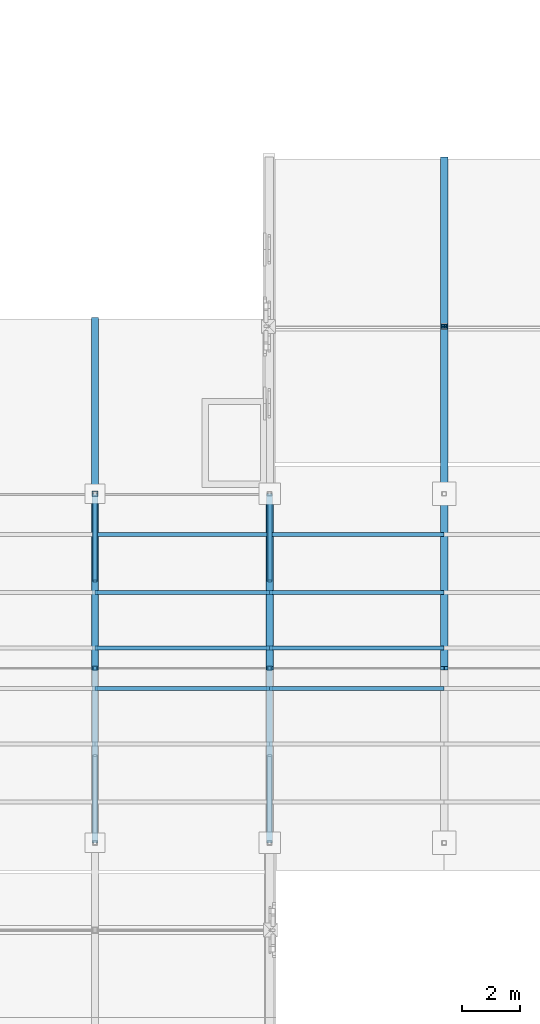
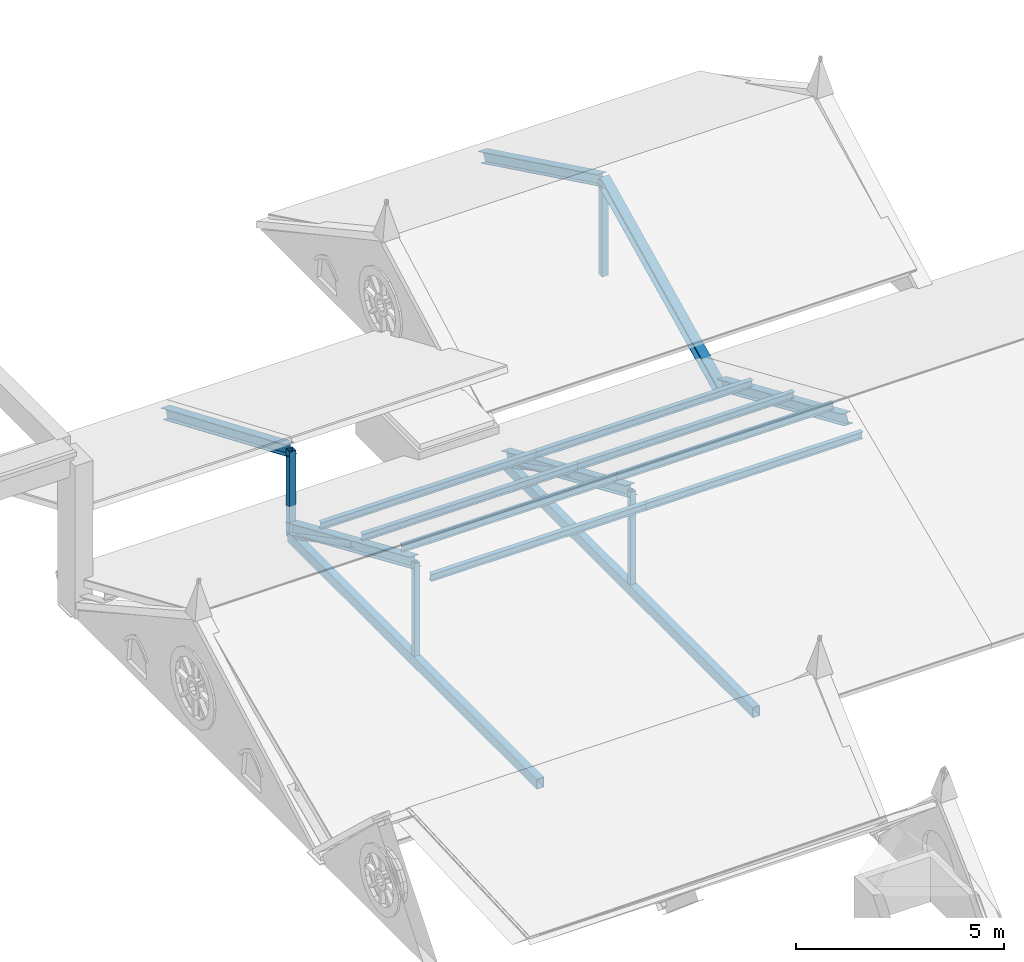
# One storey, part 27 of 59: 22 members.
"""IFC4 building model written with IfcOpenShell, lengths in metres."""

import ifcopenshell
import ifcopenshell.guid

model = None  # the IFC model being written
_history = None  # IfcOwnerHistory: only IFC2X3 demands one
_inside = {}  # id of a spatial element -> (the spatial element, [elements in it])
_under = {}  # id of a project, library or spatial element -> (it, [spatial elements below it])
_declared = {}  # id of a project -> (the project, [libraries it declares])
_typed = {}  # id of a type object -> (the type object, [elements of that type])
_made_of = {}  # id of a material, layer set ... -> (it, [elements and type objects made of it])


def new_model(schema):
    """Start an empty IFC model of exactly this schema.

    Asked for "IFC4X3", IfcOpenShell would pick the latest addendum, in which some entities
    have other attributes; the version numbers below select the first issue.
    IFC2X3 requires an IfcOwnerHistory on every rooted entity: one is made here for all.
    """
    global model, _history
    if schema == "IFC4X3":
        model = ifcopenshell.file(schema_version=(4, 3, 0, 0))
    else:
        model = ifcopenshell.file(schema=schema)
    _inside.clear()
    _under.clear()
    _declared.clear()
    _typed.clear()
    _made_of.clear()
    _history = None
    if model.schema == "IFC2X3":
        org = make("IfcOrganization", Name="unknown")
        user = make(
            "IfcPersonAndOrganization",
            ThePerson=make("IfcPerson", FamilyName="unknown"),
            TheOrganization=org,
        )
        app = make(
            "IfcApplication",
            ApplicationDeveloper=org,
            Version="unknown",
            ApplicationFullName="unknown",
            ApplicationIdentifier="unknown",
        )
        _history = make(
            "IfcOwnerHistory",
            OwningUser=user,
            OwningApplication=app,
            ChangeAction="ADDED",
            CreationDate=0,
        )
    return model


def make(cls, **values):
    """One entity of the class cls with the attributes given. An attribute that is None is left unset."""
    return model.create_entity(
        cls, **{name: value for name, value in values.items() if value is not None}
    )


def rooted(cls, **values):
    """An entity with a GlobalId (a new one), such as an element, a storey or a relation."""
    return make(cls, GlobalId=ifcopenshell.guid.new(), OwnerHistory=_history, **values)


def si_unit(unit_type, name, prefix=None):
    """IfcSIUnit, for example si_unit("LENGTHUNIT", "METRE", prefix="MILLI")."""
    return make("IfcSIUnit", UnitType=unit_type, Prefix=prefix, Name=name)


def assignment(units):
    """IfcUnitAssignment: the units of a project."""
    return None if units is None else make("IfcUnitAssignment", Units=units)


def point(xyz):
    """IfcCartesianPoint."""
    return None if xyz is None else make("IfcCartesianPoint", Coordinates=xyz)


def direction(xyz):
    """IfcDirection."""
    return None if xyz is None else make("IfcDirection", DirectionRatios=xyz)


def frame(location, z_axis=None, x_axis=None):
    """IfcAxis2Placement3D, a coordinate frame: its origin and axes. An axis left out is left unset."""
    return make(
        "IfcAxis2Placement3D",
        Location=point(location),
        Axis=direction(z_axis),
        RefDirection=direction(x_axis),
    )


def frame_2d(location, x_axis=None):
    """IfcAxis2Placement2D, a coordinate frame in the plane: its origin and x axis."""
    return make(
        "IfcAxis2Placement2D", Location=point(location), RefDirection=direction(x_axis)
    )


def origin():
    """The frame at (0, 0, 0) with its axes left unset."""
    return frame((0.0, 0.0, 0.0))


def origin_2d():
    """The frame at (0, 0) in the plane with its x axis left unset."""
    return frame_2d((0.0, 0.0))


def place(relative_to, where):
    """IfcLocalPlacement: puts the frame where relative to a parent placement (None: the world)."""
    return make(
        "IfcLocalPlacement", PlacementRelTo=relative_to, RelativePlacement=where
    )


def context(
    kind, dimensions, precision=None, world=None, true_north=None, identifier=None
):
    """IfcGeometricRepresentationContext, for example the 3D "Model" context."""
    return make(
        "IfcGeometricRepresentationContext",
        ContextIdentifier=identifier,
        ContextType=kind,
        CoordinateSpaceDimension=dimensions,
        Precision=precision,
        WorldCoordinateSystem=world,
        TrueNorth=true_north,
    )


def subcontext(parent, identifier, kind, view, scale=None):
    """IfcGeometricRepresentationSubContext, for example "Body" below "Model"."""
    return make(
        "IfcGeometricRepresentationSubContext",
        ContextIdentifier=identifier,
        ContextType=kind,
        ParentContext=parent,
        TargetScale=scale,
        TargetView=view,
    )


def project(units=None, contexts=None):
    """IfcProject with its units and contexts."""
    return rooted(
        "IfcProject",
        Name="project",
        RepresentationContexts=contexts,
        UnitsInContext=assignment(units),
    )


def spatial(cls, under=None, at=None, **own):
    """A site, building, storey or space (cls), placed at a placement, below another one or the project."""
    s = rooted(cls, ObjectPlacement=at, **own)
    if under is not None:
        _under.setdefault(under.id(), (under, []))[1].append(s)
    return s


def profile(cls, at=None, kind="AREA", **sizes):
    """A parametric profile (cls). Its sizes go by their IFC names, for example OverallWidth=200.0."""
    return make(cls, ProfileType=kind, Position=at, **sizes)


def hollow_rectangle(**sizes):
    """IfcRectangleHollowProfileDef."""
    return profile("IfcRectangleHollowProfileDef", **sizes)


def hollow_circle(**sizes):
    """IfcCircleHollowProfileDef."""
    return profile("IfcCircleHollowProfileDef", **sizes)


def i_section(**sizes):
    """IfcIShapeProfileDef."""
    return profile("IfcIShapeProfileDef", **sizes)


def extrude(swept, where, along, depth):
    """IfcExtrudedAreaSolid: the profile swept, set in the frame where, extruded along a direction by depth."""
    return make(
        "IfcExtrudedAreaSolid",
        SweptArea=swept,
        Position=where,
        ExtrudedDirection=direction(along),
        Depth=depth,
    )


def shape(context_of_items, identifier, shape_type, items):
    """IfcShapeRepresentation: the items that make up one representation, for example the "Body"."""
    return make(
        "IfcShapeRepresentation",
        ContextOfItems=context_of_items,
        RepresentationIdentifier=identifier,
        RepresentationType=shape_type,
        Items=items,
    )


def material(Name=None, Category=None):
    """IfcMaterial."""
    return make("IfcMaterial", Name=Name, Category=Category)


def material_profile(
    of_material, cross_section, Name=None, Category=None, Priority=None
):
    """IfcMaterialProfile: a cross section and its material."""
    return make(
        "IfcMaterialProfile",
        Name=Name,
        Material=of_material,
        Profile=cross_section,
        Priority=Priority,
        Category=Category,
    )


def profile_set(profiles, Name=None, composite=None):
    """IfcMaterialProfileSet."""
    return make(
        "IfcMaterialProfileSet",
        Name=Name,
        MaterialProfiles=profiles,
        CompositeProfile=composite,
    )


def made_of(thing, what):
    """Note that an element or type object is made of a material, layer set ...; save() writes the relation."""
    if what is not None:
        _made_of.setdefault(what.id(), (what, []))[1].append(thing)
    return thing


def type_object(cls, material=None, **own):
    """A type object (cls), such as IfcWallType, which elements share."""
    return made_of(rooted(cls, **own), material)


def element(
    cls,
    number,
    at=None,
    inside=None,
    cuts=None,
    type_object=None,
    material=None,
    context=None,
    identifier="Body",
    shape_type=None,
    held_by="IfcProductDefinitionShape",
    body=None,
    shapes=None,
    **own,
):
    """One element of the class cls, such as IfcWall. Its Tag is "e" and its number.

    at: its placement. inside: the storey or other place that contains it. cuts: it is an
    opening in that element (IfcRelVoidsElement). A single representation is given by context,
    identifier, shape_type and body (its items); several are given by shapes. held_by: the class
    of the entity that holds the representations. save() writes the other relations.
    """
    e = rooted(cls, Tag="e%d" % number, ObjectPlacement=at, **own)
    if body is not None:
        shapes = [shape(context, identifier, shape_type, body)]
    if shapes is not None:
        e.Representation = make(held_by, Representations=shapes)
    if inside is not None:
        _inside.setdefault(inside.id(), (inside, []))[1].append(e)
    if cuts is not None:
        rooted(
            "IfcRelVoidsElement", RelatingBuildingElement=cuts, RelatedOpeningElement=e
        )
    if type_object is not None:
        _typed.setdefault(type_object.id(), (type_object, []))[1].append(e)
    return made_of(e, material)


def aggregate(whole, parts):
    """IfcRelAggregates: a whole, such as a stair, and the parts it consists of."""
    return rooted("IfcRelAggregates", RelatingObject=whole, RelatedObjects=parts)


def save(model, path):
    """Write the relations noted so far, then the file.

    IfcRelAggregates (storeys below a building ...), IfcRelContainedInSpatialStructure (elements
    in a storey), IfcRelDefinesByType, IfcRelAssociatesMaterial and IfcRelDeclares: one each for
    every whole, place, type object, material and project.
    """
    for whole, parts in _under.values():
        aggregate(whole, parts)
    for where, things in _inside.values():
        rooted(
            "IfcRelContainedInSpatialStructure",
            RelatedElements=things,
            RelatingStructure=where,
        )
    for kind, things in _typed.values():
        rooted("IfcRelDefinesByType", RelatedObjects=things, RelatingType=kind)
    for what, things in _made_of.values():
        rooted("IfcRelAssociatesMaterial", RelatedObjects=things, RelatingMaterial=what)
    for by, libraries in _declared.values():
        rooted("IfcRelDeclares", RelatingContext=by, RelatedDefinitions=libraries)
    model.write(path)


model = new_model("IFC4")

# Units and contexts
model_context = context("Model", 3, precision=1e-05, world=origin(), true_north=direction((0.0, 1.0)))
body_context = subcontext(model_context, "Body", "Model", "MODEL_VIEW")
ifc_project = project(units=[si_unit("LENGTHUNIT", "METRE"), si_unit("AREAUNIT", "SQUARE_METRE"), si_unit("VOLUMEUNIT", "CUBIC_METRE"), si_unit("PLANEANGLEUNIT", "RADIAN"), si_unit("MASSUNIT", "GRAM", prefix="KILO")], contexts=[model_context])

# Site, building, storey
site_placement = place(None, origin())
site = spatial("IfcSite", under=ifc_project, at=site_placement, CompositionType="ELEMENT")
building_placement = place(site_placement, origin())
building = spatial("IfcBuilding", under=site, at=building_placement, Name="Cumevento Cable Car Station", CompositionType="ELEMENT")
storey_placement = place(building_placement, frame((0.0, 0.0, 18.0)))
storey = spatial("IfcBuildingStorey", under=building, at=storey_placement, Name="L05", CompositionType="ELEMENT", Elevation=18.0)

# Members
ifc_material_1 = material(Name="Steel ASTM A572 Grade 50", Category="steel")
ifc_material_profile_1 = material_profile(ifc_material_1, hollow_rectangle(XDim=0.179931640625, YDim=0.179931640625, WallThickness=0.010009765625, at=origin_2d()), Name="HSS180x180x10.0")
ifc_profile_set_1 = profile_set([ifc_material_profile_1], Name="Steel ASTM A572 Grade 50")
member_type_1 = type_object("IfcMemberType", Name="Framing Brace BR-01 HSS180x180x10.0", PredefinedType="BRACE", material=ifc_profile_set_1)
member_1_placement = place(storey_placement, frame((124.0, 45.0, 0.0), z_axis=(0.0, 0.0, 1.0), x_axis=(1.0, 0.0, 0.0)))
element("IfcMember", 1, at=member_1_placement, inside=storey, type_object=member_type_1, Name="Wing B_V5c_core High Post #772", PredefinedType="BRACE", context=body_context, shape_type="SweptSolid", body=[
    extrude(hollow_rectangle(XDim=0.179931640625, YDim=0.179931640625, WallThickness=0.010009765625, at=origin_2d()), origin(), (0.0, 0.0, 1.0), 2.550048828125),
])
member_2_placement = place(storey_placement, frame((136.0, 50.75, 0.0), z_axis=(0.0, 0.0, 1.0), x_axis=(1.0, 0.0, 0.0)))
element("IfcMember", 2, at=member_2_placement, inside=storey, type_object=member_type_1, Name="Wing B_V5c King Post #774", PredefinedType="BRACE", context=body_context, shape_type="SweptSolid", body=[
    extrude(hollow_rectangle(XDim=0.179931640625, YDim=0.179931640625, WallThickness=0.010009765625, at=origin_2d()), origin(), (0.0, 0.0, 1.0), 2.800048828125),
])
ifc_material_2 = material(Name="Steel ASTM A572 Grade 50", Category="steel")
ifc_material_profile_2 = material_profile(ifc_material_2, hollow_circle(Radius=0.084228515625, WallThickness=0.010009765625, at=origin_2d()), Name="CHS168.3x10.0")
ifc_profile_set_2 = profile_set([ifc_material_profile_2], Name="Steel ASTM A572 Grade 50")
member_type_2 = type_object("IfcMemberType", Name="Framing Brace TD-02 CHS168.3x10.0", PredefinedType="BRACE", material=ifc_profile_set_2)
for number, where, z_axis, x_axis, name in (
    (3, (124.0, 45.0, 0.02001953125), (0.0, -0.886677465101, 0.462388443715), (1.0, 0.0, 0.0), "Cabin Garage Truss Web Brace #345"),
    (4, (130.0, 45.0, 0.02001953125), (0.0, -0.886677465101, 0.462388443715), (1.0, 0.0, 0.0), "Cabin Garage Truss Web Brace #353"),
):
    element("IfcMember", number, at=place(storey_placement, frame(where, z_axis=z_axis, x_axis=x_axis)), inside=storey, type_object=member_type_2, Name=name, PredefinedType="BRACE", context=body_context, shape_type="SweptSolid", body=[
        extrude(hollow_circle(Radius=0.084228515625, WallThickness=0.010009765625, at=origin_2d()), origin(), (0.0, 0.0, 1.0), 3.38330078125),
    ])
ifc_material_3 = material(Name="Steel ASTM A572 Grade 50", Category="steel")
ifc_material_profile_3 = material_profile(ifc_material_3, i_section(OverallWidth=0.25390625, OverallDepth=0.305908203125, WebThickness=0.0087890625, FlangeThickness=0.0146484375, at=origin_2d()), Name="W310x79.0")
ifc_profile_set_3 = profile_set([ifc_material_profile_3], Name="Steel ASTM A572 Grade 50")
member_type_3 = type_object("IfcMemberType", Name="Framing Chord TC-03 W310x79.0", PredefinedType="CHORD", material=ifc_profile_set_3)
for number, where, z_axis, x_axis, name in (
    (5, (124.0, 39.0, 2.888916015625), (0.0, 0.917059377477, -0.398750671701), (-1.0, 0.0, 0.0), "Cabin Garage Truss Top Chord #347"),
    (6, (130.0, 39.0, 2.888916015625), (0.0, 0.917059377477, -0.398750671701), (-1.0, 0.0, 0.0), "Cabin Garage Truss Top Chord #355"),
    (7, (136.0, 39.0, 2.888916015625), (0.0, 0.917059377477, -0.398750671701), (-1.0, 0.0, 0.0), "Cabin Garage Truss Top Chord #359"),
):
    element("IfcMember", number, at=place(storey_placement, frame(where, z_axis=z_axis, x_axis=x_axis)), inside=storey, type_object=member_type_3, Name=name, PredefinedType="CHORD", context=body_context, shape_type="SweptSolid", body=[
        extrude(i_section(OverallWidth=0.25390625, OverallDepth=0.305908203125, WebThickness=0.0087890625, FlangeThickness=0.0146484375, at=origin_2d()), origin(), (0.0, 0.0, 1.0), 6.542724609375),
    ])
member_3_placement = place(storey_placement, frame((124.0, 51.0, 0.0), z_axis=(0.0, -0.920328222321, 0.391146984137), x_axis=(1.0, 0.0, 0.0)))
element("IfcMember", 8, at=member_3_placement, inside=storey, type_object=member_type_3, Name="Wing B_V5c_core Monopitch Rafter #773", PredefinedType="CHORD", context=body_context, shape_type="SweptSolid", body=[
    extrude(i_section(OverallWidth=0.25390625, OverallDepth=0.305908203125, WebThickness=0.0087890625, FlangeThickness=0.0146484375, at=origin_2d()), origin(), (0.0, 0.0, 1.0), 6.51953125),
])
for number, where, z_axis, x_axis, name in (
    (9, (136.0, 45.0, 0.0), (0.0, 0.899065776673, 0.437813578153), (-1.0, 0.0, 0.0), "Wing B_V5c Rafter #775"),
    (10, (136.0, 56.5, 0.0), (0.0, -0.899065776673, 0.437813578153), (1.0, 0.0, 0.0), "Wing B_V5c Rafter #776"),
):
    element("IfcMember", number, at=place(storey_placement, frame(where, z_axis=z_axis, x_axis=x_axis)), inside=storey, type_object=member_type_3, Name=name, PredefinedType="CHORD", context=body_context, shape_type="SweptSolid", body=[
        extrude(i_section(OverallWidth=0.25390625, OverallDepth=0.305908203125, WebThickness=0.0087890625, FlangeThickness=0.0146484375, at=origin_2d()), origin(), (0.0, 0.0, 1.0), 6.3955078125),
    ])
ifc_material_4 = material(Name="Steel ASTM A572 Grade 50", Category="steel")
ifc_material_profile_4 = material_profile(ifc_material_4, hollow_rectangle(XDim=0.199951171875, YDim=0.300048828125, WallThickness=0.012451171875, at=origin_2d()), Name="HSS300x200x12.5")
ifc_profile_set_4 = profile_set([ifc_material_profile_4], Name="Steel ASTM A572 Grade 50")
member_type_4 = type_object("IfcMemberType", Name="Framing Chord TC-04 HSS300x200x12.5", PredefinedType="CHORD", material=ifc_profile_set_4)
for number, where, z_axis, x_axis, name in (
    (11, (124.0, 33.0, 0.02001953125), (0.0, 1.0, 0.0), (-1.0, 0.0, 0.0), "Cabin Garage Truss Bottom Tie Chord #342"),
    (12, (130.0, 33.0, 0.02001953125), (0.0, 1.0, 0.0), (-1.0, 0.0, 0.0), "Cabin Garage Truss Bottom Tie Chord #350"),
):
    element("IfcMember", number, at=place(storey_placement, frame(where, z_axis=z_axis, x_axis=x_axis)), inside=storey, type_object=member_type_4, Name=name, PredefinedType="CHORD", context=body_context, shape_type="SweptSolid", body=[
        extrude(hollow_rectangle(XDim=0.199951171875, YDim=0.300048828125, WallThickness=0.012451171875, at=origin_2d()), origin(), (0.0, 0.0, 1.0), 12.0),
    ])
ifc_material_5 = material(Name="Steel ASTM A572 Grade 50", Category="steel")
ifc_material_profile_5 = material_profile(ifc_material_5, hollow_rectangle(XDim=0.14990234375, YDim=0.14990234375, WallThickness=0.010009765625, at=origin_2d()), Name="HSS150x150x10.0")
ifc_profile_set_5 = profile_set([ifc_material_profile_5], Name="Steel ASTM A572 Grade 50")
member_type_5 = type_object("IfcMemberType", Name="Framing Post TD-04 HSS150x150x10.0", PredefinedType="POST", material=ifc_profile_set_5)
for number, where, z_axis, x_axis, name in (
    (13, (124.0, 39.0, 0.02001953125), (0.0, 0.0, 1.0), (1.0, 0.0, 0.0), "Cabin Garage Truss King Post #343"),
    (14, (130.0, 39.0, 0.02001953125), (0.0, 0.0, 1.0), (1.0, 0.0, 0.0), "Cabin Garage Truss King Post #351"),
):
    element("IfcMember", number, at=place(storey_placement, frame(where, z_axis=z_axis, x_axis=x_axis)), inside=storey, type_object=member_type_5, Name=name, PredefinedType="POST", context=body_context, shape_type="SweptSolid", body=[
        extrude(hollow_rectangle(XDim=0.14990234375, YDim=0.14990234375, WallThickness=0.010009765625, at=origin_2d()), origin(), (0.0, 0.0, 1.0), 2.868896484375),
    ])
ifc_material_6 = material(Name="Steel ASTM A572 Grade 50", Category="steel")
ifc_material_profile_6 = material_profile(ifc_material_6, i_section(OverallWidth=0.133056640625, OverallDepth=0.20703125, WebThickness=0.005859375, FlangeThickness=0.00830078125, at=origin_2d()), Name="W200x26.6")
ifc_profile_set_6 = profile_set([ifc_material_profile_6], Name="Steel ASTM A572 Grade 50")
member_type_6 = type_object("IfcMemberType", Name="Framing Purlin PR-02 W200x26.6", PredefinedType="PURLIN", material=ifc_profile_set_6)
for number, where, z_axis, x_axis, name in (
    (15, (124.0, 38.300048828125, 2.865234375), (1.0, 0.0, 0.0), (0.0, 1.0, 0.0), "Cabin Garage Purlin #405"),
    (16, (124.0, 39.699951171875, 2.865234375), (1.0, 0.0, 0.0), (0.0, 1.0, 0.0), "Cabin Garage Purlin #406"),
    (17, (124.0, 41.60009765625, 2.039306640625), (1.0, 0.0, 0.0), (0.0, 1.0, 0.0), "Cabin Garage Purlin #407"),
    (18, (124.0, 43.60009765625, 1.169677734375), (1.0, 0.0, 0.0), (0.0, 1.0, 0.0), "Cabin Garage Purlin #408"),
    (19, (130.0, 38.300048828125, 2.865234375), (1.0, 0.0, 0.0), (0.0, 1.0, 0.0), "Cabin Garage Purlin #411"),
    (20, (130.0, 39.699951171875, 2.865234375), (1.0, 0.0, 0.0), (0.0, 1.0, 0.0), "Cabin Garage Purlin #412"),
    (21, (130.0, 41.60009765625, 2.039306640625), (1.0, 0.0, 0.0), (0.0, 1.0, 0.0), "Cabin Garage Purlin #413"),
    (22, (130.0, 43.60009765625, 1.169677734375), (1.0, 0.0, 0.0), (0.0, 1.0, 0.0), "Cabin Garage Purlin #414"),
):
    element("IfcMember", number, at=place(storey_placement, frame(where, z_axis=z_axis, x_axis=x_axis)), inside=storey, type_object=member_type_6, Name=name, PredefinedType="PURLIN", context=body_context, shape_type="SweptSolid", body=[
        extrude(i_section(OverallWidth=0.133056640625, OverallDepth=0.20703125, WebThickness=0.005859375, FlangeThickness=0.00830078125, at=origin_2d()), origin(), (0.0, 0.0, 1.0), 6.0),
    ])

save(model, "model.ifc")
